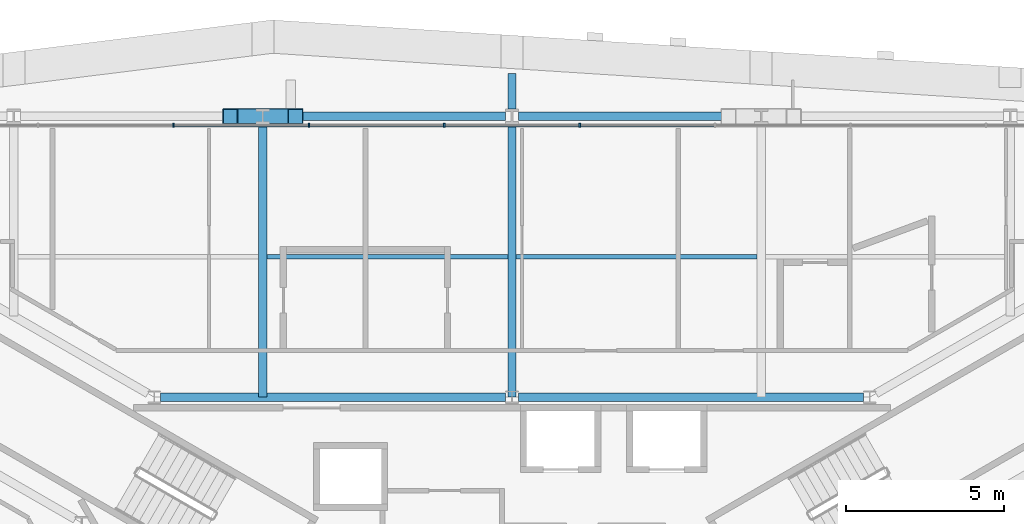
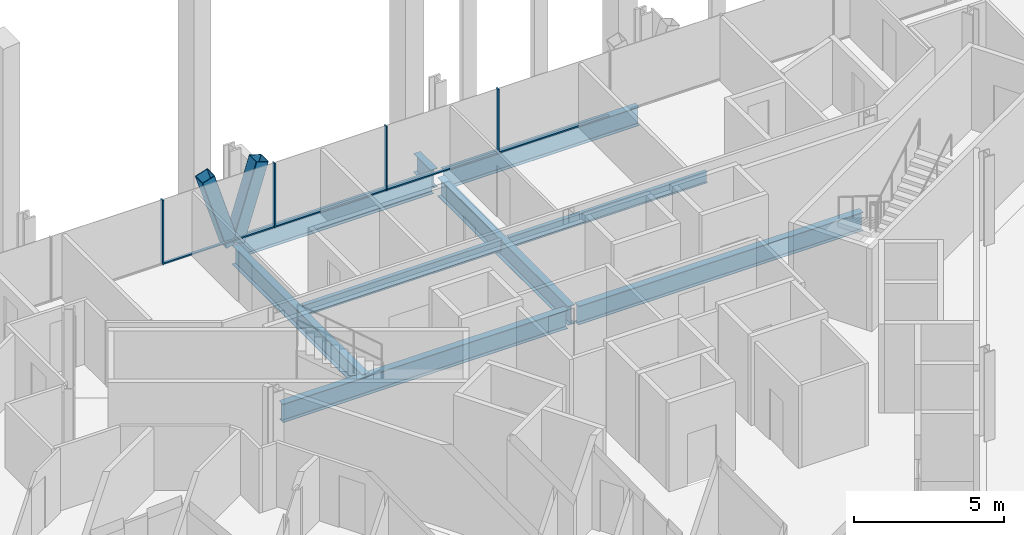
# One storey, part 7 of 17: 10 members, 9 beams, 1 element without a shape of its own.
"""IFC4 building model written with IfcOpenShell, lengths in metres."""

from ifc_helpers import new_model, si_unit, direction, frame, origin, origin_2d, place, context, subcontext, project, spatial, rectangle, hollow_rectangle, i_section, extrude, material, material_profile, profile_set, type_object, element, aggregate, save


model = new_model("IFC4")

# Units and contexts
model_context = context("Model", 3, precision=1e-05, world=origin(), true_north=direction((0.0, 1.0)))
body_context = subcontext(model_context, "Body", "Model", "MODEL_VIEW")
ifc_project = project(units=[si_unit("LENGTHUNIT", "METRE"), si_unit("AREAUNIT", "SQUARE_METRE"), si_unit("VOLUMEUNIT", "CUBIC_METRE"), si_unit("PLANEANGLEUNIT", "RADIAN"), si_unit("MASSUNIT", "GRAM", prefix="KILO")], contexts=[model_context])

# Site, building, storey
site_placement = place(None, origin())
site = spatial("IfcSite", under=ifc_project, at=site_placement, CompositionType="ELEMENT")
building_placement = place(site_placement, origin())
building = spatial("IfcBuilding", under=site, at=building_placement, Name="Verrane Prism Tower", CompositionType="ELEMENT")
storey_placement = place(building_placement, frame((0.0, 0.0, 92.800048828125)))
storey = spatial("IfcBuildingStorey", under=building, at=storey_placement, Name="L21", CompositionType="ELEMENT", Elevation=92.800048828125)

# Beams
ifc_material_1 = material(Name="Steel A992", Category="steel")
ifc_material_profile_1 = material_profile(ifc_material_1, i_section(OverallWidth=0.2666015625, OverallDepth=0.7568359375, WebThickness=0.013916015625, FlangeThickness=0.019287109375, FilletRadius=0.0166015625, at=origin_2d()), Name="W30x108")
ifc_profile_set_1 = profile_set([ifc_material_profile_1], Name="Steel A992")
beam_type_1 = type_object("IfcBeamType", Name="Core ring girder W30x108", PredefinedType="BEAM", material=ifc_profile_set_1)
for number, where, z_axis, x_axis, name in (
    (1, (11.12939453125, 9.199951171875, -0.628662109375), (-1.0, 0.0, 0.0), (0.0, -1.0, 0.0), "Core ring girder L21"),
    (2, (-0.20068359375, 9.199951171875, -0.628662109375), (-1.0, 0.0, 0.0), (0.0, -1.0, 0.0), "Core ring girder L21"),
):
    element("IfcBeam", number, at=place(storey_placement, frame(where, z_axis=z_axis, x_axis=x_axis)), inside=storey, type_object=beam_type_1, Name=name, PredefinedType="BEAM", context=body_context, shape_type="SweptSolid", body=[
        extrude(i_section(OverallWidth=0.2666015625, OverallDepth=0.7568359375, WebThickness=0.013916015625, FlangeThickness=0.019287109375, FilletRadius=0.0166015625, at=origin_2d()), origin(), (0.0, 0.0, 1.0), 10.9287109375),
    ])

# Members
ifc_material_2 = material(Name="Steel A1085 Grade A", Category="steel")
ifc_material_profile_2 = material_profile(ifc_material_2, hollow_rectangle(XDim=0.508056640625, YDim=0.508056640625, WallThickness=0.025390625, InnerFilletRadius=0.0126953125, OuterFilletRadius=0.0380859375, at=origin_2d()), Name="HSS20x20x1")
ifc_profile_set_2 = profile_set([ifc_material_profile_2], Name="Steel A1085 Grade A")
member_type_1 = type_object("IfcMemberType", Name="Facade brace HSS20x20x1", PredefinedType="BRACE", material=ifc_profile_set_2)
for number, where, z_axis, x_axis, name in (
    (3, (-7.783203125, 18.090087890625, -0.19775390625), (0.298767396422, 0.0, 0.95432596257), (0.0, 1.0, 0.0), "Facade brace N3 L21"),
    (4, (-7.99658203125, 18.090087890625, -0.19775390625), (-0.298838998855, 0.0, 0.954303543304), (0.0, -1.0, 0.0), "Facade brace N4 L21"),
):
    element("IfcMember", number, at=place(storey_placement, frame(where, z_axis=z_axis, x_axis=x_axis)), inside=storey, type_object=member_type_1, Name=name, PredefinedType="BRACE", context=body_context, shape_type="SweptSolid", body=[
        extrude(hollow_rectangle(XDim=0.508056640625, YDim=0.508056640625, WallThickness=0.025390625, InnerFilletRadius=0.0126953125, OuterFilletRadius=0.0380859375, at=origin_2d()), origin(), (0.0, 0.0, 1.0), 3.105224609375),
    ])

# Beams
ifc_material_3 = material(Name="Steel A992", Category="steel")
ifc_material_profile_3 = material_profile(ifc_material_3, i_section(OverallWidth=0.15234375, OverallDepth=0.449462890625, WebThickness=0.007568359375, FlangeThickness=0.0107421875, FilletRadius=0.01025390625, at=origin_2d()), Name="W18x35")
ifc_profile_set_3 = profile_set([ifc_material_profile_3], Name="Steel A992")
beam_type_2 = type_object("IfcBeamType", Name="Floor beam W18x35", PredefinedType="BEAM", material=ifc_profile_set_3)
for number, where, z_axis, x_axis, name in (
    (5, (0.133544921875, 13.64501953125, -0.384765625), (1.0, 0.0, 0.0), (0.0, 1.0, 0.0), "Floor beam L21"),
    (6, (-7.756591796875, 13.64501953125, -0.384765625), (1.0, 0.0, 0.0), (0.0, 1.0, 0.0), "Floor beam L21"),
):
    element("IfcBeam", number, at=place(storey_placement, frame(where, z_axis=z_axis, x_axis=x_axis)), inside=storey, type_object=beam_type_2, Name=name, PredefinedType="BEAM", context=body_context, shape_type="SweptSolid", body=[
        extrude(i_section(OverallWidth=0.15234375, OverallDepth=0.449462890625, WebThickness=0.007568359375, FlangeThickness=0.0107421875, FilletRadius=0.01025390625, at=origin_2d()), origin(), (0.0, 0.0, 1.0), 7.623046875),
    ])

# Curtain wall, members
ifc_material_4 = material(Name="Aluminium framed insulated glazing", Category="aluminium")
curtain_wall_type = type_object("IfcCurtainWallType", Name="Curtain wall CW-C 4200 module", PredefinedType="NOTDEFINED", material=ifc_material_4)
curtain_wall_placement = place(storey_placement, origin())
curtain_wall = element("IfcCurtainWall", 7, at=curtain_wall_placement, inside=storey, type_object=curtain_wall_type, Name="Glazed curtain wall north face L21", PredefinedType="NOTDEFINED")
ifc_material_5 = material(Name="Aluminium alloy 6063-T6", Category="aluminium")
ifc_material_profile_4 = material_profile(ifc_material_5, rectangle(XDim=0.139892578125, YDim=0.050048828125, at=origin_2d()), Name="Mullion 50x140 aluminium")
ifc_profile_set_4 = profile_set([ifc_material_profile_4], Name="Aluminium alloy 6063-T6")
member_type_2 = type_object("IfcMemberType", Name="Mullion 50x140 aluminium", PredefinedType="MULLION", material=ifc_profile_set_4)
member_1_placement = place(storey_placement, frame((2.14453125, 17.81103515625, 0.0), z_axis=(0.0, 0.0, 1.0), x_axis=(0.0, -1.0, 0.0)))
member_1 = element("IfcMember", 8, at=member_1_placement, type_object=member_type_2, Name="CW21.2 mullion 6", PredefinedType="MULLION", context=body_context, shape_type="SweptSolid", body=[
    extrude(rectangle(XDim=0.139892578125, YDim=0.050048828125, at=origin_2d()), origin(), (0.0, 0.0, 1.0), 2.61279296875),
])
member_2_placement = place(storey_placement, frame((-2.14453125, 17.81103515625, 0.0), z_axis=(0.0, 0.0, 1.0), x_axis=(0.0, -1.0, 0.0)))
member_2 = element("IfcMember", 9, at=member_2_placement, type_object=member_type_2, Name="CW21.2 mullion 7", PredefinedType="MULLION", context=body_context, shape_type="SweptSolid", body=[
    extrude(rectangle(XDim=0.139892578125, YDim=0.050048828125, at=origin_2d()), origin(), (0.0, 0.0, 1.0), 2.61279296875),
])
member_3_placement = place(storey_placement, frame((-6.43359375, 17.81103515625, 0.0), z_axis=(0.0, 0.0, 1.0), x_axis=(0.0, -1.0, 0.0)))
member_3 = element("IfcMember", 10, at=member_3_placement, type_object=member_type_2, Name="CW21.2 mullion 8", PredefinedType="MULLION", context=body_context, shape_type="SweptSolid", body=[
    extrude(rectangle(XDim=0.139892578125, YDim=0.050048828125, at=origin_2d()), origin(), (0.0, 0.0, 1.0), 2.61279296875),
])
member_4_placement = place(storey_placement, frame((-10.72265625, 17.81103515625, 0.0), z_axis=(0.0, 0.0, 1.0), x_axis=(0.0, -1.0, 0.0)))
member_4 = element("IfcMember", 11, at=member_4_placement, type_object=member_type_2, Name="CW21.2 mullion 9", PredefinedType="MULLION", context=body_context, shape_type="SweptSolid", body=[
    extrude(rectangle(XDim=0.139892578125, YDim=0.050048828125, at=origin_2d()), origin(), (0.0, 0.0, 1.0), 2.61279296875),
])

# Beams
ifc_material_6 = material(Name="Steel A992", Category="steel")
ifc_material_profile_5 = material_profile(ifc_material_6, i_section(OverallWidth=0.2666015625, OverallDepth=0.76708984375, WebThickness=0.014892578125, FlangeThickness=0.023681640625, FilletRadius=0.0166015625, at=origin_2d()), Name="W30x124")
ifc_profile_set_5 = profile_set([ifc_material_profile_5], Name="Steel A992")
beam_type_3 = type_object("IfcBeamType", Name="Radial girder W30x124", PredefinedType="BEAM", material=ifc_profile_set_5)
for number, where, z_axis, x_axis, name in (
    (12, (0.0, 17.8525390625, -0.603515625), (0.0, -1.0, 0.0), (1.0, 0.0, 0.0), "Radial girder L21"),
    (13, (-7.889892578125, 17.8525390625, -0.603515625), (0.0, -1.0, 0.0), (1.0, 0.0, 0.0), "Radial girder L21"),
):
    element("IfcBeam", number, at=place(storey_placement, frame(where, z_axis=z_axis, x_axis=x_axis)), inside=storey, type_object=beam_type_3, Name=name, PredefinedType="BEAM", context=body_context, shape_type="SweptSolid", body=[
        extrude(i_section(OverallWidth=0.2666015625, OverallDepth=0.76708984375, WebThickness=0.014892578125, FlangeThickness=0.023681640625, FilletRadius=0.0166015625, at=origin_2d()), origin(), (0.0, 0.0, 1.0), 8.652587890625),
    ])
beam_placement = place(storey_placement, frame((0.0, 18.323486328125, -0.603515625), z_axis=(0.0, 1.0, 0.0), x_axis=(-1.0, 0.0, 0.0)))
element("IfcBeam", 14, at=beam_placement, inside=storey, type_object=beam_type_3, Name="Cantilever girder L21", PredefinedType="BEAM", context=body_context, shape_type="SweptSolid", body=[
    extrude(i_section(OverallWidth=0.2666015625, OverallDepth=0.76708984375, WebThickness=0.014892578125, FlangeThickness=0.023681640625, FilletRadius=0.0166015625, at=origin_2d()), origin(), (0.0, 0.0, 1.0), 1.12841796875),
])
ifc_material_7 = material(Name="Steel A992", Category="steel")
ifc_material_profile_6 = material_profile(ifc_material_7, i_section(OverallWidth=0.2666015625, OverallDepth=0.7568359375, WebThickness=0.013916015625, FlangeThickness=0.019287109375, FilletRadius=0.0166015625, at=origin_2d()), Name="W30x108")
ifc_profile_set_6 = profile_set([ifc_material_profile_6], Name="Steel A992")
beam_type_4 = type_object("IfcBeamType", Name="Spandrel beam W30x108", PredefinedType="SPANDREL", material=ifc_profile_set_6)
for number, where, z_axis, x_axis, name in (
    (15, (7.677978515625, 18.090087890625, -0.53857421875), (-1.0, 0.0, 0.0), (0.0, -1.0, 0.0), "Spandrel beam L21"),
    (16, (-0.212158203125, 18.090087890625, -0.53857421875), (-1.0, 0.0, 0.0), (0.0, -1.0, 0.0), "Spandrel beam L21"),
):
    element("IfcBeam", number, at=place(storey_placement, frame(where, z_axis=z_axis, x_axis=x_axis)), inside=storey, type_object=beam_type_4, Name=name, PredefinedType="SPANDREL", context=body_context, shape_type="SweptSolid", body=[
        extrude(i_section(OverallWidth=0.2666015625, OverallDepth=0.7568359375, WebThickness=0.013916015625, FlangeThickness=0.019287109375, FilletRadius=0.0166015625, at=origin_2d()), origin(), (0.0, 0.0, 1.0), 7.4658203125),
    ])

# Member
ifc_material_8 = material(Name="Aluminium alloy 6063-T6", Category="aluminium")
ifc_material_profile_7 = material_profile(ifc_material_8, rectangle(XDim=0.10009765625, YDim=0.050048828125, at=origin_2d()), Name="Transom 50x100 aluminium")
ifc_profile_set_7 = profile_set([ifc_material_profile_7], Name="Aluminium alloy 6063-T6")
member_type_3 = type_object("IfcMemberType", Name="Transom 50x100 aluminium", PredefinedType="USERDEFINED", material=ifc_profile_set_7)
member_5_placement = place(storey_placement, frame((6.408447265625, 17.81103515625, 0.02490234375), z_axis=(-1.0, 0.0, 0.0), x_axis=(0.0, -1.0, 0.0)))
member_5 = element("IfcMember", 17, at=member_5_placement, type_object=member_type_3, Name="CW21.2 transom 5", ObjectType="TRANSOM", PredefinedType="USERDEFINED", context=body_context, shape_type="SweptSolid", body=[
    extrude(rectangle(XDim=0.10009765625, YDim=0.050048828125, at=origin_2d()), origin(), (0.0, 0.0, 1.0), 4.239013671875),
])

member_6_placement = place(storey_placement, frame((2.11962890625, 17.81103515625, 0.02490234375), z_axis=(-1.0, 0.0, 0.0), x_axis=(0.0, -1.0, 0.0)))
member_6 = element("IfcMember", 18, at=member_6_placement, type_object=member_type_3, Name="CW21.2 transom 6", ObjectType="TRANSOM", PredefinedType="USERDEFINED", context=body_context, shape_type="SweptSolid", body=[
    extrude(rectangle(XDim=0.10009765625, YDim=0.050048828125, at=origin_2d()), origin(), (0.0, 0.0, 1.0), 4.2392578125),
])

member_7_placement = place(storey_placement, frame((-2.16943359375, 17.81103515625, 0.02490234375), z_axis=(-1.0, 0.0, 0.0), x_axis=(0.0, -1.0, 0.0)))
member_7 = element("IfcMember", 19, at=member_7_placement, type_object=member_type_3, Name="CW21.2 transom 7", ObjectType="TRANSOM", PredefinedType="USERDEFINED", context=body_context, shape_type="SweptSolid", body=[
    extrude(rectangle(XDim=0.10009765625, YDim=0.050048828125, at=origin_2d()), origin(), (0.0, 0.0, 1.0), 4.239013671875),
])

member_8_placement = place(storey_placement, frame((-6.45849609375, 17.81103515625, 0.02490234375), z_axis=(-1.0, 0.0, 0.0), x_axis=(0.0, -1.0, 0.0)))
member_8 = element("IfcMember", 20, at=member_8_placement, type_object=member_type_3, Name="CW21.2 transom 8", ObjectType="TRANSOM", PredefinedType="USERDEFINED", context=body_context, shape_type="SweptSolid", body=[
    extrude(rectangle(XDim=0.10009765625, YDim=0.050048828125, at=origin_2d()), origin(), (0.0, 0.0, 1.0), 4.239013671875),
])

aggregate(curtain_wall, [member_1, member_2, member_3, member_4, member_5, member_6, member_7, member_8])

save(model, "model.ifc")
